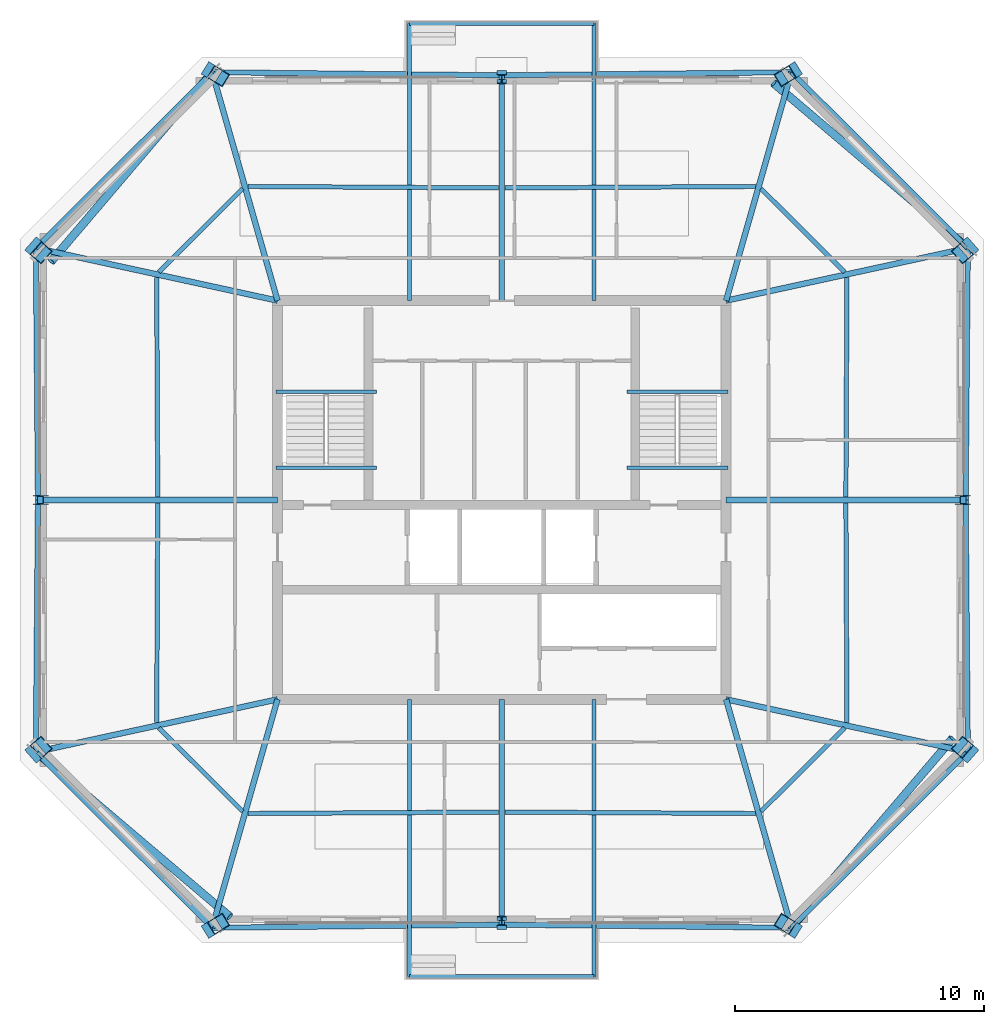
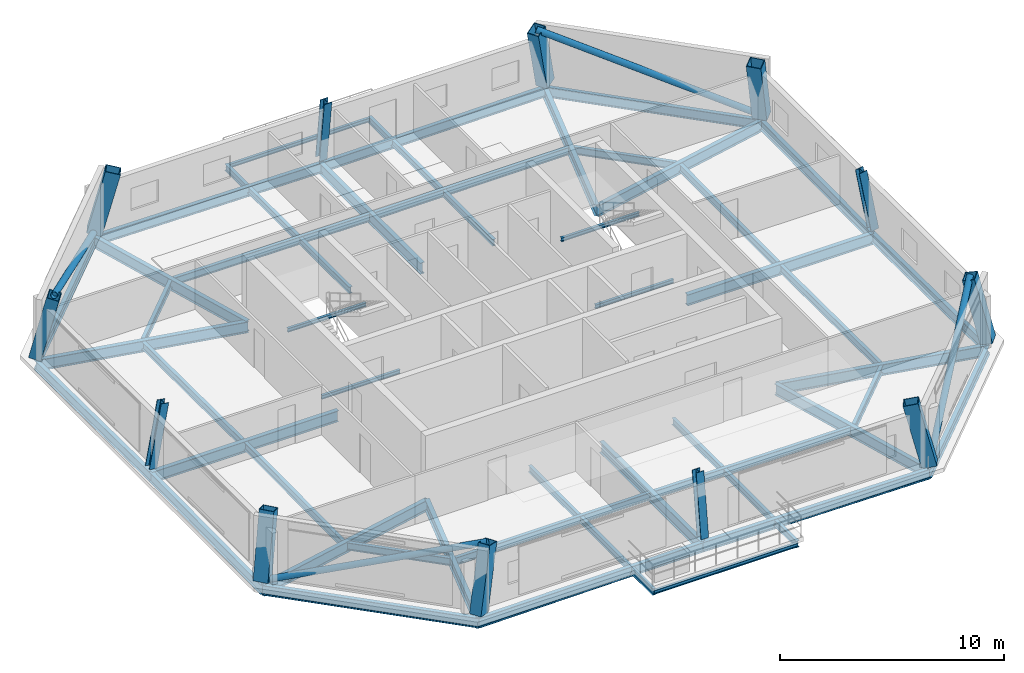
# One storey, part 1 of 7: 46 beams, 12 columns, 4 members.
"""IFC4 building model written with IfcOpenShell, lengths in metres."""

from ifc_helpers import new_model, si_unit, direction, frame, origin, origin_2d, place, context, subcontext, project, spatial, hollow_rectangle, hollow_circle, i_section, extrude, material, material_profile, profile_set, type_object, element, save


model = new_model("IFC4")

# Units and contexts
model_context = context("Model", 3, precision=1e-05, world=origin(), true_north=direction((0.0, 1.0)))
body_context = subcontext(model_context, "Body", "Model", "MODEL_VIEW")
ifc_project = project(units=[si_unit("LENGTHUNIT", "METRE"), si_unit("AREAUNIT", "SQUARE_METRE"), si_unit("VOLUMEUNIT", "CUBIC_METRE"), si_unit("PLANEANGLEUNIT", "RADIAN"), si_unit("MASSUNIT", "GRAM", prefix="KILO")], contexts=[model_context])

# Site, building, storey
site_placement = place(None, origin())
site = spatial("IfcSite", under=ifc_project, at=site_placement, CompositionType="ELEMENT")
building_placement = place(site_placement, origin())
building = spatial("IfcBuilding", under=site, at=building_placement, Name="Caelvoria Tower", CompositionType="ELEMENT")
storey_placement = place(building_placement, frame((0.0, 0.0, 257.39990234375)))
storey = spatial("IfcBuildingStorey", under=building, at=storey_placement, Name="L68", CompositionType="ELEMENT", Elevation=257.39990234375)

# Columns
ifc_material_1 = material(Name="Structural Steel ASTM A572 Gr.50", Category="steel")
ifc_material_profile_1 = material_profile(ifc_material_1, hollow_rectangle(XDim=0.580078125, YDim=0.699951171875, WallThickness=0.031982421875, at=origin_2d()), Name="Structural Steel ASTM A572 Gr.50")
ifc_profile_set_1 = profile_set([ifc_material_profile_1], Name="BOX700X580X32 - Structural Steel ASTM A572 Gr.50")
column_type_1 = type_object("IfcColumnType", Name="Mega Box Column 700x580x32", PredefinedType="COLUMN", material=ifc_profile_set_1)
for number, where, z_axis, x_axis, name in (
    (1, (34.37646484375, 14.83251953125, 0.0), (0.204959599513, 0.127485151856, 0.970432428675), (-0.528166687424, 0.849140712895, 0.0), "Perimeter Megaframe Column L68-P00"),
    (2, (57.62353515625, 14.83251953125, 0.0), (-0.204959599513, 0.127485151856, 0.970432428675), (-0.528166687424, -0.849140712895, 0.0), "Perimeter Megaframe Column L68-P02"),
):
    element("IfcColumn", number, at=place(storey_placement, frame(where, z_axis=z_axis, x_axis=x_axis)), inside=storey, type_object=column_type_1, Name=name, PredefinedType="COLUMN", context=body_context, shape_type="SweptSolid", body=[
        extrude(hollow_rectangle(XDim=0.580078125, YDim=0.699951171875, WallThickness=0.031982421875, at=origin_2d()), origin(), (0.0, 0.0, 1.0), 3.475830078125),
    ])
for number, where, z_axis, x_axis, name in (
    (3, (64.702880859375, 21.887939453125, 0.0), (-0.177662325412, 0.155507284832, 0.971727113182), (0.731191579458, -0.640009731663, 0.23610679259), "Perimeter Megaframe Column L68-P03"),
    (4, (64.702880859375, 42.112060546875, 0.0), (-0.177662325412, -0.155507284832, 0.971727113182), (0.731191579458, 0.640009731663, 0.23610679259), "Perimeter Megaframe Column L68-P05"),
):
    element("IfcColumn", number, at=place(storey_placement, frame(where, z_axis=z_axis, x_axis=x_axis)), inside=storey, type_object=column_type_1, Name=name, PredefinedType="COLUMN", context=body_context, shape_type="SweptSolid", body=[
        extrude(hollow_rectangle(XDim=0.580078125, YDim=0.699951171875, WallThickness=0.031982421875, at=origin_2d()), origin(), (0.0, 0.0, 1.0), 3.47119140625),
    ])
for number, where, z_axis, x_axis, name in (
    (5, (57.62353515625, 49.16748046875, 0.0), (-0.204959599513, -0.127485151856, 0.970432428675), (0.528166687424, -0.849140712895, 0.0), "Perimeter Megaframe Column L68-P06"),
    (6, (34.37646484375, 49.16748046875, 0.0), (0.204959599513, -0.127485151856, 0.970432428675), (0.528166687424, 0.849140712895, 0.0), "Perimeter Megaframe Column L68-P08"),
):
    element("IfcColumn", number, at=place(storey_placement, frame(where, z_axis=z_axis, x_axis=x_axis)), inside=storey, type_object=column_type_1, Name=name, PredefinedType="COLUMN", context=body_context, shape_type="SweptSolid", body=[
        extrude(hollow_rectangle(XDim=0.580078125, YDim=0.699951171875, WallThickness=0.031982421875, at=origin_2d()), origin(), (0.0, 0.0, 1.0), 3.475830078125),
    ])
for number, where, z_axis, x_axis, name in (
    (7, (27.297119140625, 42.112060546875, 0.0), (0.177662325412, -0.155507284832, 0.971727113182), (-0.731191579458, 0.640009731663, 0.23610679259), "Perimeter Megaframe Column L68-P09"),
    (8, (27.297119140625, 21.887939453125, 0.0), (0.177662325412, 0.155507284832, 0.971727113182), (-0.731191579458, -0.640009731663, 0.23610679259), "Perimeter Megaframe Column L68-P11"),
):
    element("IfcColumn", number, at=place(storey_placement, frame(where, z_axis=z_axis, x_axis=x_axis)), inside=storey, type_object=column_type_1, Name=name, PredefinedType="COLUMN", context=body_context, shape_type="SweptSolid", body=[
        extrude(hollow_rectangle(XDim=0.580078125, YDim=0.699951171875, WallThickness=0.031982421875, at=origin_2d()), origin(), (0.0, 0.0, 1.0), 3.47119140625),
    ])
ifc_material_2 = material(Name="Structural Steel ASTM A992 Gr.50", Category="steel")
ifc_material_profile_2 = material_profile(ifc_material_2, i_section(OverallWidth=0.39501953125, OverallDepth=0.3798828125, WebThickness=0.018798828125, FlangeThickness=0.0302734375, FilletRadius=0.02490234375, at=origin_2d()), Name="Structural Steel ASTM A992 Gr.50")
ifc_profile_set_2 = profile_set([ifc_material_profile_2], Name="W360X237 - Structural Steel ASTM A992 Gr.50")
column_type_2 = type_object("IfcColumnType", Name="Summit Frame Column W360X237", PredefinedType="COLUMN", material=ifc_profile_set_2)
column_1_placement = place(storey_placement, frame((46.0, 14.956298828125, 0.0), z_axis=(0.0, 0.128274255688, 0.991738733401), x_axis=(-1.0, 0.0, 0.0)))
element("IfcColumn", 9, at=column_1_placement, inside=storey, type_object=column_type_2, Name="Perimeter Megaframe Column L68-P01", PredefinedType="COLUMN", context=body_context, shape_type="SweptSolid", body=[
    extrude(i_section(OverallWidth=0.39501953125, OverallDepth=0.3798828125, WebThickness=0.018798828125, FlangeThickness=0.0302734375, FilletRadius=0.02490234375, at=origin_2d()), origin(), (0.0, 0.0, 1.0), 3.401123046875),
])
column_2_placement = place(storey_placement, frame((64.616455078125, 32.0, 0.0), z_axis=(-0.179023300051, 0.0, 0.98384483433), x_axis=(0.98384483433, 0.0, 0.179023300051)))
element("IfcColumn", 10, at=column_2_placement, inside=storey, type_object=column_type_2, Name="Perimeter Megaframe Column L68-P04", PredefinedType="COLUMN", context=body_context, shape_type="SweptSolid", body=[
    extrude(i_section(OverallWidth=0.39501953125, OverallDepth=0.3798828125, WebThickness=0.018798828125, FlangeThickness=0.0302734375, FilletRadius=0.02490234375, at=origin_2d()), origin(), (0.0, 0.0, 1.0), 3.428466796875),
])
column_3_placement = place(storey_placement, frame((46.0, 49.043701171875, 0.0), z_axis=(0.0, -0.128274255688, 0.991738733401), x_axis=(1.0, 0.0, 0.0)))
element("IfcColumn", 11, at=column_3_placement, inside=storey, type_object=column_type_2, Name="Perimeter Megaframe Column L68-P07", PredefinedType="COLUMN", context=body_context, shape_type="SweptSolid", body=[
    extrude(i_section(OverallWidth=0.39501953125, OverallDepth=0.3798828125, WebThickness=0.018798828125, FlangeThickness=0.0302734375, FilletRadius=0.02490234375, at=origin_2d()), origin(), (0.0, 0.0, 1.0), 3.401123046875),
])
column_4_placement = place(storey_placement, frame((27.383544921875, 32.0, 0.0), z_axis=(0.179023300051, 0.0, 0.98384483433), x_axis=(-0.98384483433, 0.0, 0.179023300051)))
element("IfcColumn", 12, at=column_4_placement, inside=storey, type_object=column_type_2, Name="Perimeter Megaframe Column L68-P10", PredefinedType="COLUMN", context=body_context, shape_type="SweptSolid", body=[
    extrude(i_section(OverallWidth=0.39501953125, OverallDepth=0.3798828125, WebThickness=0.018798828125, FlangeThickness=0.0302734375, FilletRadius=0.02490234375, at=origin_2d()), origin(), (0.0, 0.0, 1.0), 3.428466796875),
])

# Beams
ifc_material_profile_3 = material_profile(ifc_material_2, i_section(OverallWidth=0.134033203125, OverallDepth=0.2099609375, WebThickness=0.00634765625, FlangeThickness=0.01025390625, FilletRadius=0.010009765625, at=origin_2d()), Name="Structural Steel ASTM A992 Gr.50")
ifc_profile_set_3 = profile_set([ifc_material_profile_3], Name="W200X31.3 - Structural Steel ASTM A992 Gr.50")
beam_type_1 = type_object("IfcBeamType", Name="Canopy Edge Trim Beam W200X31.3", PredefinedType="BEAM", material=ifc_profile_set_3)
for number, where, z_axis, x_axis, name in (
    (13, (42.300048828125, 12.886474609375, -0.428955078125), (1.0, 0.0, 0.0), (0.0, 1.0, 0.0), "Tree Balcony Edge Beam TB-L68-S"),
    (14, (42.300048828125, 51.113525390625, -0.428955078125), (1.0, 0.0, 0.0), (0.0, 1.0, 0.0), "Tree Balcony Edge Beam TB-L68-N"),
):
    element("IfcBeam", number, at=place(storey_placement, frame(where, z_axis=z_axis, x_axis=x_axis)), inside=storey, type_object=beam_type_1, Name=name, PredefinedType="BEAM", context=body_context, shape_type="SweptSolid", body=[
        extrude(i_section(OverallWidth=0.134033203125, OverallDepth=0.2099609375, WebThickness=0.00634765625, FlangeThickness=0.01025390625, FilletRadius=0.010009765625, at=origin_2d()), origin(), (0.0, 0.0, 1.0), 7.39990234375),
    ])
for number, where, z_axis, x_axis, name in (
    (15, (36.929931640625, 36.35009765625, 1.4951171875), (1.0, 0.0, 0.0), (0.0, 1.0, 0.0), "ST-01 Half-Landing Support Beam L68"),
    (16, (36.929931640625, 33.300048828125, -0.304931640625), (1.0, 0.0, 0.0), (0.0, 1.0, 0.0), "ST-01 Floor-Landing Support Beam L68"),
    (17, (51.030029296875, 36.35009765625, 1.4951171875), (1.0, 0.0, 0.0), (0.0, 1.0, 0.0), "ST-02 Half-Landing Support Beam L68"),
    (18, (51.030029296875, 33.300048828125, -0.304931640625), (1.0, 0.0, 0.0), (0.0, 1.0, 0.0), "ST-02 Floor-Landing Support Beam L68"),
):
    element("IfcBeam", number, at=place(storey_placement, frame(where, z_axis=z_axis, x_axis=x_axis)), inside=storey, type_object=beam_type_1, Name=name, PredefinedType="BEAM", context=body_context, shape_type="SweptSolid", body=[
        extrude(i_section(OverallWidth=0.134033203125, OverallDepth=0.2099609375, WebThickness=0.00634765625, FlangeThickness=0.01025390625, FilletRadius=0.010009765625, at=origin_2d()), origin(), (0.0, 0.0, 1.0), 4.0400390625),
    ])
ifc_material_profile_4 = material_profile(ifc_material_2, i_section(OverallWidth=0.22802734375, OverallDepth=0.60302734375, WebThickness=0.010498046875, FlangeThickness=0.014892578125, FilletRadius=0.01806640625, at=origin_2d()), Name="Structural Steel ASTM A992 Gr.50")
ifc_profile_set_4 = profile_set([ifc_material_profile_4], Name="W610X101 - Structural Steel ASTM A992 Gr.50")
beam_type_2 = type_object("IfcBeamType", Name="Primary Floor Girder W610X101", PredefinedType="BEAM", material=ifc_profile_set_4)
beam_1_placement = place(storey_placement, frame((37.0, 24.0, -0.5263671875), z_axis=(-0.275133654786, -0.961405987086, 0.0), x_axis=(0.961405987086, -0.275133654786, 0.0)))
element("IfcBeam", 19, at=beam_1_placement, inside=storey, type_object=beam_type_2, Name="Primary Floor Girder L68-00", PredefinedType="BEAM", context=body_context, shape_type="SweptSolid", body=[
    extrude(i_section(OverallWidth=0.22802734375, OverallDepth=0.60302734375, WebThickness=0.010498046875, FlangeThickness=0.014892578125, FilletRadius=0.01806640625, at=origin_2d()), origin(), (0.0, 0.0, 1.0), 9.535400390625),
])
beam_2_placement = place(storey_placement, frame((46.0, 24.0, -0.5263671875), z_axis=(0.0, -1.0, 0.0), x_axis=(1.0, 0.0, 0.0)))
element("IfcBeam", 20, at=beam_2_placement, inside=storey, type_object=beam_type_2, Name="Primary Floor Girder L68-01", PredefinedType="BEAM", context=body_context, shape_type="SweptSolid", body=[
    extrude(i_section(OverallWidth=0.22802734375, OverallDepth=0.60302734375, WebThickness=0.010498046875, FlangeThickness=0.014892578125, FilletRadius=0.01806640625, at=origin_2d()), origin(), (0.0, 0.0, 1.0), 9.043701171875),
])
beam_3_placement = place(storey_placement, frame((55.0, 24.0, -0.5263671875), z_axis=(0.275133654786, -0.961405987086, 0.0), x_axis=(0.961405987086, 0.275133654786, 0.0)))
element("IfcBeam", 21, at=beam_3_placement, inside=storey, type_object=beam_type_2, Name="Primary Floor Girder L68-02", PredefinedType="BEAM", context=body_context, shape_type="SweptSolid", body=[
    extrude(i_section(OverallWidth=0.22802734375, OverallDepth=0.60302734375, WebThickness=0.010498046875, FlangeThickness=0.014892578125, FilletRadius=0.01806640625, at=origin_2d()), origin(), (0.0, 0.0, 1.0), 9.535400390625),
])
beam_4_placement = place(storey_placement, frame((55.0, 24.0, -0.5263671875), z_axis=(0.977119079584, -0.212692981342, 0.0), x_axis=(0.212692981342, 0.977119079584, 0.0)))
element("IfcBeam", 22, at=beam_4_placement, inside=storey, type_object=beam_type_2, Name="Primary Floor Girder L68-03", PredefinedType="BEAM", context=body_context, shape_type="SweptSolid", body=[
    extrude(i_section(OverallWidth=0.22802734375, OverallDepth=0.60302734375, WebThickness=0.010498046875, FlangeThickness=0.014892578125, FilletRadius=0.01806640625, at=origin_2d()), origin(), (0.0, 0.0, 1.0), 9.93017578125),
])
beam_5_placement = place(storey_placement, frame((55.0, 32.0, -0.5263671875), z_axis=(1.0, 0.0, 0.0), x_axis=(0.0, 1.0, 0.0)))
element("IfcBeam", 23, at=beam_5_placement, inside=storey, type_object=beam_type_2, Name="Primary Floor Girder L68-04", PredefinedType="BEAM", context=body_context, shape_type="SweptSolid", body=[
    extrude(i_section(OverallWidth=0.22802734375, OverallDepth=0.60302734375, WebThickness=0.010498046875, FlangeThickness=0.014892578125, FilletRadius=0.01806640625, at=origin_2d()), origin(), (0.0, 0.0, 1.0), 9.616455078125),
])
beam_6_placement = place(storey_placement, frame((55.0, 40.0, -0.5263671875), z_axis=(0.977119079584, 0.212692981342, 0.0), x_axis=(-0.212692981342, 0.977119079584, 0.0)))
element("IfcBeam", 24, at=beam_6_placement, inside=storey, type_object=beam_type_2, Name="Primary Floor Girder L68-05", PredefinedType="BEAM", context=body_context, shape_type="SweptSolid", body=[
    extrude(i_section(OverallWidth=0.22802734375, OverallDepth=0.60302734375, WebThickness=0.010498046875, FlangeThickness=0.014892578125, FilletRadius=0.01806640625, at=origin_2d()), origin(), (0.0, 0.0, 1.0), 9.93017578125),
])
beam_7_placement = place(storey_placement, frame((55.0, 40.0, -0.5263671875), z_axis=(0.275133654786, 0.961405987086, 0.0), x_axis=(-0.961405987086, 0.275133654786, 0.0)))
element("IfcBeam", 25, at=beam_7_placement, inside=storey, type_object=beam_type_2, Name="Primary Floor Girder L68-06", PredefinedType="BEAM", context=body_context, shape_type="SweptSolid", body=[
    extrude(i_section(OverallWidth=0.22802734375, OverallDepth=0.60302734375, WebThickness=0.010498046875, FlangeThickness=0.014892578125, FilletRadius=0.01806640625, at=origin_2d()), origin(), (0.0, 0.0, 1.0), 9.535400390625),
])
beam_8_placement = place(storey_placement, frame((46.0, 40.0, -0.5263671875), z_axis=(0.0, 1.0, 0.0), x_axis=(-1.0, 0.0, 0.0)))
element("IfcBeam", 26, at=beam_8_placement, inside=storey, type_object=beam_type_2, Name="Primary Floor Girder L68-07", PredefinedType="BEAM", context=body_context, shape_type="SweptSolid", body=[
    extrude(i_section(OverallWidth=0.22802734375, OverallDepth=0.60302734375, WebThickness=0.010498046875, FlangeThickness=0.014892578125, FilletRadius=0.01806640625, at=origin_2d()), origin(), (0.0, 0.0, 1.0), 9.043701171875),
])
beam_9_placement = place(storey_placement, frame((37.0, 40.0, -0.5263671875), z_axis=(-0.275133654786, 0.961405987086, 0.0), x_axis=(-0.961405987086, -0.275133654786, 0.0)))
element("IfcBeam", 27, at=beam_9_placement, inside=storey, type_object=beam_type_2, Name="Primary Floor Girder L68-08", PredefinedType="BEAM", context=body_context, shape_type="SweptSolid", body=[
    extrude(i_section(OverallWidth=0.22802734375, OverallDepth=0.60302734375, WebThickness=0.010498046875, FlangeThickness=0.014892578125, FilletRadius=0.01806640625, at=origin_2d()), origin(), (0.0, 0.0, 1.0), 9.535400390625),
])
beam_10_placement = place(storey_placement, frame((37.0, 40.0, -0.5263671875), z_axis=(-0.977119079584, 0.212692981342, 0.0), x_axis=(-0.212692981342, -0.977119079584, 0.0)))
element("IfcBeam", 28, at=beam_10_placement, inside=storey, type_object=beam_type_2, Name="Primary Floor Girder L68-09", PredefinedType="BEAM", context=body_context, shape_type="SweptSolid", body=[
    extrude(i_section(OverallWidth=0.22802734375, OverallDepth=0.60302734375, WebThickness=0.010498046875, FlangeThickness=0.014892578125, FilletRadius=0.01806640625, at=origin_2d()), origin(), (0.0, 0.0, 1.0), 9.93017578125),
])
beam_11_placement = place(storey_placement, frame((37.0, 32.0, -0.5263671875), z_axis=(-1.0, 0.0, 0.0), x_axis=(0.0, -1.0, 0.0)))
element("IfcBeam", 29, at=beam_11_placement, inside=storey, type_object=beam_type_2, Name="Primary Floor Girder L68-10", PredefinedType="BEAM", context=body_context, shape_type="SweptSolid", body=[
    extrude(i_section(OverallWidth=0.22802734375, OverallDepth=0.60302734375, WebThickness=0.010498046875, FlangeThickness=0.014892578125, FilletRadius=0.01806640625, at=origin_2d()), origin(), (0.0, 0.0, 1.0), 9.616455078125),
])
beam_12_placement = place(storey_placement, frame((37.0, 24.0, -0.5263671875), z_axis=(-0.977119079584, -0.212692981342, 0.0), x_axis=(0.212692981342, -0.977119079584, 0.0)))
element("IfcBeam", 30, at=beam_12_placement, inside=storey, type_object=beam_type_2, Name="Primary Floor Girder L68-11", PredefinedType="BEAM", context=body_context, shape_type="SweptSolid", body=[
    extrude(i_section(OverallWidth=0.22802734375, OverallDepth=0.60302734375, WebThickness=0.010498046875, FlangeThickness=0.014892578125, FilletRadius=0.01806640625, at=origin_2d()), origin(), (0.0, 0.0, 1.0), 9.93017578125),
])
ifc_material_profile_5 = material_profile(ifc_material_2, i_section(OverallWidth=0.177978515625, OverallDepth=0.406982421875, WebThickness=0.0078125, FlangeThickness=0.0126953125, FilletRadius=0.013916015625, at=origin_2d()), Name="Structural Steel ASTM A992 Gr.50")
ifc_profile_set_5 = profile_set([ifc_material_profile_5], Name="W410X60 - Structural Steel ASTM A992 Gr.50")
beam_type_3 = type_object("IfcBeamType", Name="Secondary Floor Beam W410X60", PredefinedType="BEAM", material=ifc_profile_set_5)
for number, where, z_axis, x_axis, name in (
    (31, (35.813232421875, 19.4169921875, -0.428466796875), (0.999982040934, 0.005993146922, 0.0), (-0.005993146922, 0.999982040934, 0.0), "Secondary Floor Beam L68-00"),
    (32, (46.125, 19.477294921875, -0.428466796875), (0.999982040934, -0.005993146922, 0.0), (0.005993146922, 0.999982040934, 0.0), "Secondary Floor Beam L68-01"),
):
    element("IfcBeam", number, at=place(storey_placement, frame(where, z_axis=z_axis, x_axis=x_axis)), inside=storey, type_object=beam_type_3, Name=name, PredefinedType="BEAM", context=body_context, shape_type="SweptSolid", body=[
        extrude(i_section(OverallWidth=0.177978515625, OverallDepth=0.406982421875, WebThickness=0.0078125, FlangeThickness=0.0126953125, FilletRadius=0.013916015625, at=origin_2d()), origin(), (0.0, 0.0, 1.0), 10.06201171875),
    ])
beam_13_placement = place(storey_placement, frame((56.400390625, 19.50439453125, -0.428466796875), z_axis=(0.708288587083, 0.705922996798, 0.0), x_axis=(-0.705922996798, 0.708288587083, 0.0)))
element("IfcBeam", 33, at=beam_13_placement, inside=storey, type_object=beam_type_3, Name="Secondary Floor Beam L68-02", PredefinedType="BEAM", context=body_context, shape_type="SweptSolid", body=[
    extrude(i_section(OverallWidth=0.177978515625, OverallDepth=0.406982421875, WebThickness=0.0078125, FlangeThickness=0.0126953125, FilletRadius=0.013916015625, at=origin_2d()), origin(), (0.0, 0.0, 1.0), 4.747314453125),
])
for number, where, z_axis, x_axis, name in (
    (34, (59.850830078125, 23.069091796875, -0.428466796875), (-0.00476858367, 0.99998863024, 0.0), (-0.99998863024, -0.00476858367, 0.0), "Secondary Floor Beam L68-03"),
    (35, (59.808837890625, 32.125, -0.428466796875), (0.00476858367, 0.99998863024, 0.0), (-0.99998863024, 0.00476858367, 0.0), "Secondary Floor Beam L68-04"),
):
    element("IfcBeam", number, at=place(storey_placement, frame(where, z_axis=z_axis, x_axis=x_axis)), inside=storey, type_object=beam_type_3, Name=name, PredefinedType="BEAM", context=body_context, shape_type="SweptSolid", body=[
        extrude(i_section(OverallWidth=0.177978515625, OverallDepth=0.406982421875, WebThickness=0.0078125, FlangeThickness=0.0126953125, FilletRadius=0.013916015625, at=origin_2d()), origin(), (0.0, 0.0, 1.0), 8.805908203125),
    ])
beam_14_placement = place(storey_placement, frame((59.762939453125, 41.144287109375, -0.428466796875), z_axis=(-0.708288587083, 0.705922996798, 0.0), x_axis=(-0.705922996798, -0.708288587083, 0.0)))
element("IfcBeam", 36, at=beam_14_placement, inside=storey, type_object=beam_type_3, Name="Secondary Floor Beam L68-05", PredefinedType="BEAM", context=body_context, shape_type="SweptSolid", body=[
    extrude(i_section(OverallWidth=0.177978515625, OverallDepth=0.406982421875, WebThickness=0.0078125, FlangeThickness=0.0126953125, FilletRadius=0.013916015625, at=origin_2d()), origin(), (0.0, 0.0, 1.0), 4.747314453125),
])
for number, where, z_axis, x_axis, name in (
    (37, (56.186767578125, 44.5830078125, -0.428466796875), (-0.999982040934, -0.005993146922, 0.0), (0.005993146922, -0.999982040934, 0.0), "Secondary Floor Beam L68-06"),
    (38, (45.875, 44.522705078125, -0.428466796875), (-0.999982040934, 0.005993146922, 0.0), (-0.005993146922, -0.999982040934, 0.0), "Secondary Floor Beam L68-07"),
):
    element("IfcBeam", number, at=place(storey_placement, frame(where, z_axis=z_axis, x_axis=x_axis)), inside=storey, type_object=beam_type_3, Name=name, PredefinedType="BEAM", context=body_context, shape_type="SweptSolid", body=[
        extrude(i_section(OverallWidth=0.177978515625, OverallDepth=0.406982421875, WebThickness=0.0078125, FlangeThickness=0.0126953125, FilletRadius=0.013916015625, at=origin_2d()), origin(), (0.0, 0.0, 1.0), 10.06201171875),
    ])
beam_15_placement = place(storey_placement, frame((35.599609375, 44.49560546875, -0.428466796875), z_axis=(-0.708288587083, -0.705922996798, 0.0), x_axis=(0.705922996798, -0.708288587083, 0.0)))
element("IfcBeam", 39, at=beam_15_placement, inside=storey, type_object=beam_type_3, Name="Secondary Floor Beam L68-08", PredefinedType="BEAM", context=body_context, shape_type="SweptSolid", body=[
    extrude(i_section(OverallWidth=0.177978515625, OverallDepth=0.406982421875, WebThickness=0.0078125, FlangeThickness=0.0126953125, FilletRadius=0.013916015625, at=origin_2d()), origin(), (0.0, 0.0, 1.0), 4.747314453125),
])
for number, where, z_axis, x_axis, name in (
    (40, (32.149169921875, 40.930908203125, -0.428466796875), (0.00476858367, -0.99998863024, 0.0), (0.99998863024, 0.00476858367, 0.0), "Secondary Floor Beam L68-09"),
    (41, (32.191162109375, 31.875, -0.428466796875), (-0.00476858367, -0.99998863024, 0.0), (0.99998863024, -0.00476858367, 0.0), "Secondary Floor Beam L68-10"),
):
    element("IfcBeam", number, at=place(storey_placement, frame(where, z_axis=z_axis, x_axis=x_axis)), inside=storey, type_object=beam_type_3, Name=name, PredefinedType="BEAM", context=body_context, shape_type="SweptSolid", body=[
        extrude(i_section(OverallWidth=0.177978515625, OverallDepth=0.406982421875, WebThickness=0.0078125, FlangeThickness=0.0126953125, FilletRadius=0.013916015625, at=origin_2d()), origin(), (0.0, 0.0, 1.0), 8.805908203125),
    ])
beam_16_placement = place(storey_placement, frame((32.237060546875, 22.855712890625, -0.428466796875), z_axis=(0.708288587083, -0.705922996798, 0.0), x_axis=(0.705922996798, 0.708288587083, 0.0)))
element("IfcBeam", 42, at=beam_16_placement, inside=storey, type_object=beam_type_3, Name="Secondary Floor Beam L68-11", PredefinedType="BEAM", context=body_context, shape_type="SweptSolid", body=[
    extrude(i_section(OverallWidth=0.177978515625, OverallDepth=0.406982421875, WebThickness=0.0078125, FlangeThickness=0.0126953125, FilletRadius=0.013916015625, at=origin_2d()), origin(), (0.0, 0.0, 1.0), 4.747314453125),
])

# Members
ifc_material_profile_6 = material_profile(ifc_material_1, hollow_circle(Radius=0.162109375, WallThickness=0.0126953125, at=origin_2d()), Name="Structural Steel ASTM A572 Gr.50")
ifc_profile_set_6 = profile_set([ifc_material_profile_6], Name="CHS324X12.7 - Structural Steel ASTM A572 Gr.50")
member_type = type_object("IfcMemberType", Name="Summit Perimeter Mega Brace CHS324X12.7", PredefinedType="BRACE", material=ifc_profile_set_6)
member_1_placement = place(storey_placement, frame((57.62353515625, 14.83251953125, 0.0), z_axis=(0.613839550645, 0.72141394056, 0.320566580338), x_axis=(-0.761606999404, 0.648039179725, 0.0)))
element("IfcMember", 43, at=member_1_placement, inside=storey, type_object=member_type, Name="Perimeter Chamfer Mega Brace L68 SE", PredefinedType="BRACE", context=body_context, shape_type="SweptSolid", body=[
    extrude(hollow_circle(Radius=0.162109375, WallThickness=0.0126953125, at=origin_2d()), origin(), (0.0, 0.0, 1.0), 10.5283203125),
])
member_2_placement = place(storey_placement, frame((64.702880859375, 42.112060546875, 0.0), z_axis=(-0.723993415501, 0.614401932177, 0.313598150584), x_axis=(-0.647041425151, -0.762454847279, 0.0)))
element("IfcMember", 44, at=member_2_placement, inside=storey, type_object=member_type, Name="Perimeter Chamfer Mega Brace L68 NE", PredefinedType="BRACE", context=body_context, shape_type="SweptSolid", body=[
    extrude(hollow_circle(Radius=0.162109375, WallThickness=0.0126953125, at=origin_2d()), origin(), (0.0, 0.0, 1.0), 10.76220703125),
])
member_3_placement = place(storey_placement, frame((34.37646484375, 49.16748046875, 0.0), z_axis=(-0.613839550645, -0.72141394056, 0.320566580338), x_axis=(0.761606999404, -0.648039179725, 0.0)))
element("IfcMember", 45, at=member_3_placement, inside=storey, type_object=member_type, Name="Perimeter Chamfer Mega Brace L68 NW", PredefinedType="BRACE", context=body_context, shape_type="SweptSolid", body=[
    extrude(hollow_circle(Radius=0.162109375, WallThickness=0.0126953125, at=origin_2d()), origin(), (0.0, 0.0, 1.0), 10.5283203125),
])
member_4_placement = place(storey_placement, frame((27.297119140625, 21.887939453125, 0.0), z_axis=(0.723993415501, -0.614401932177, 0.313598150584), x_axis=(0.647041425151, 0.762454847279, 0.0)))
element("IfcMember", 46, at=member_4_placement, inside=storey, type_object=member_type, Name="Perimeter Chamfer Mega Brace L68 SW", PredefinedType="BRACE", context=body_context, shape_type="SweptSolid", body=[
    extrude(hollow_circle(Radius=0.162109375, WallThickness=0.0126953125, at=origin_2d()), origin(), (0.0, 0.0, 1.0), 10.76220703125),
])

# Beams
ifc_material_profile_7 = material_profile(ifc_material_2, i_section(OverallWidth=0.1708984375, OverallDepth=0.35498046875, WebThickness=0.007080078125, FlangeThickness=0.01171875, FilletRadius=0.012939453125, at=origin_2d()), Name="Structural Steel ASTM A992 Gr.50")
ifc_profile_set_7 = profile_set([ifc_material_profile_7], Name="W360X51 - Structural Steel ASTM A992 Gr.50")
beam_type_4 = type_object("IfcBeamType", Name="Tree Balcony Cantilever Beam W360X51", PredefinedType="BEAM", material=ifc_profile_set_7)
for number, where, z_axis, x_axis, name in (
    (47, (42.300048828125, 24.0, -0.428955078125), (0.0, -1.0, 0.0), (1.0, 0.0, 0.0), "Tree Balcony Cantilever Beam TB-L68-S L"),
    (48, (49.699951171875, 24.0, -0.428955078125), (0.0, -1.0, 0.0), (1.0, 0.0, 0.0), "Tree Balcony Cantilever Beam TB-L68-S R"),
    (49, (42.300048828125, 40.0, -0.428955078125), (0.0, 1.0, 0.0), (-1.0, 0.0, 0.0), "Tree Balcony Cantilever Beam TB-L68-N L"),
    (50, (49.699951171875, 40.0, -0.428955078125), (0.0, 1.0, 0.0), (-1.0, 0.0, 0.0), "Tree Balcony Cantilever Beam TB-L68-N R"),
):
    element("IfcBeam", number, at=place(storey_placement, frame(where, z_axis=z_axis, x_axis=x_axis)), inside=storey, type_object=beam_type_4, Name=name, PredefinedType="BEAM", context=body_context, shape_type="SweptSolid", body=[
        extrude(i_section(OverallWidth=0.1708984375, OverallDepth=0.35498046875, WebThickness=0.007080078125, FlangeThickness=0.01171875, FilletRadius=0.012939453125, at=origin_2d()), origin(), (0.0, 0.0, 1.0), 11.113525390625),
    ])
ifc_material_profile_8 = material_profile(ifc_material_2, i_section(OverallWidth=0.208984375, OverallDepth=0.532958984375, WebThickness=0.01025390625, FlangeThickness=0.015625, FilletRadius=0.01611328125, at=origin_2d()), Name="Structural Steel ASTM A992 Gr.50")
ifc_profile_set_8 = profile_set([ifc_material_profile_8], Name="W530X92 - Structural Steel ASTM A992 Gr.50")
beam_type_5 = type_object("IfcBeamType", Name="Upper Zone Spandrel W530X92", PredefinedType="BEAM", material=ifc_profile_set_8)
for number, where, z_axis, x_axis, name in (
    (51, (34.37646484375, 14.83251953125, -0.491455078125), (0.999943303973, 0.010648419557, 0.0), (-0.010648419557, 0.999943303973, 0.0), "Perimeter Spandrel Girder L68-00"),
    (52, (46.0, 14.956298828125, -0.491455078125), (0.999943303973, -0.010648419557, 0.0), (0.010648419557, 0.999943303973, 0.0), "Perimeter Spandrel Girder L68-01"),
):
    element("IfcBeam", number, at=place(storey_placement, frame(where, z_axis=z_axis, x_axis=x_axis)), inside=storey, type_object=beam_type_5, Name=name, PredefinedType="BEAM", context=body_context, shape_type="SweptSolid", body=[
        extrude(i_section(OverallWidth=0.208984375, OverallDepth=0.532958984375, WebThickness=0.01025390625, FlangeThickness=0.015625, FilletRadius=0.01611328125, at=origin_2d()), origin(), (0.0, 0.0, 1.0), 11.624267578125),
    ])
beam_17_placement = place(storey_placement, frame((57.62353515625, 14.83251953125, -0.491455078125), z_axis=(0.708302679291, 0.705908857083, 0.0), x_axis=(-0.705908857083, 0.708302679291, 0.0)))
element("IfcBeam", 53, at=beam_17_placement, inside=storey, type_object=beam_type_5, Name="Perimeter Spandrel Girder L68-02", PredefinedType="BEAM", context=body_context, shape_type="SweptSolid", body=[
    extrude(i_section(OverallWidth=0.208984375, OverallDepth=0.532958984375, WebThickness=0.01025390625, FlangeThickness=0.015625, FilletRadius=0.01611328125, at=origin_2d()), origin(), (0.0, 0.0, 1.0), 9.994873046875),
])
for number, where, z_axis, x_axis, name in (
    (54, (64.702880859375, 21.887939453125, -0.491455078125), (-0.008546490047, 0.999963478087, 0.0), (-0.999963478087, -0.008546490047, 0.0), "Perimeter Spandrel Girder L68-03"),
    (55, (64.616455078125, 32.0, -0.491455078125), (0.008546490047, 0.999963478087, 0.0), (-0.999963478087, 0.008546490047, 0.0), "Perimeter Spandrel Girder L68-04"),
):
    element("IfcBeam", number, at=place(storey_placement, frame(where, z_axis=z_axis, x_axis=x_axis)), inside=storey, type_object=beam_type_5, Name=name, PredefinedType="BEAM", context=body_context, shape_type="SweptSolid", body=[
        extrude(i_section(OverallWidth=0.208984375, OverallDepth=0.532958984375, WebThickness=0.01025390625, FlangeThickness=0.015625, FilletRadius=0.01611328125, at=origin_2d()), origin(), (0.0, 0.0, 1.0), 10.112548828125),
    ])
beam_18_placement = place(storey_placement, frame((64.702880859375, 42.112060546875, -0.491455078125), z_axis=(-0.708302679291, 0.705908857083, 0.0), x_axis=(-0.705908857083, -0.708302679291, 0.0)))
element("IfcBeam", 56, at=beam_18_placement, inside=storey, type_object=beam_type_5, Name="Perimeter Spandrel Girder L68-05", PredefinedType="BEAM", context=body_context, shape_type="SweptSolid", body=[
    extrude(i_section(OverallWidth=0.208984375, OverallDepth=0.532958984375, WebThickness=0.01025390625, FlangeThickness=0.015625, FilletRadius=0.01611328125, at=origin_2d()), origin(), (0.0, 0.0, 1.0), 9.994873046875),
])
for number, where, z_axis, x_axis, name in (
    (57, (57.62353515625, 49.16748046875, -0.491455078125), (-0.999943303973, -0.010648419557, 0.0), (0.010648419557, -0.999943303973, 0.0), "Perimeter Spandrel Girder L68-06"),
    (58, (46.0, 49.043701171875, -0.491455078125), (-0.999943303973, 0.010648419557, 0.0), (-0.010648419557, -0.999943303973, 0.0), "Perimeter Spandrel Girder L68-07"),
):
    element("IfcBeam", number, at=place(storey_placement, frame(where, z_axis=z_axis, x_axis=x_axis)), inside=storey, type_object=beam_type_5, Name=name, PredefinedType="BEAM", context=body_context, shape_type="SweptSolid", body=[
        extrude(i_section(OverallWidth=0.208984375, OverallDepth=0.532958984375, WebThickness=0.01025390625, FlangeThickness=0.015625, FilletRadius=0.01611328125, at=origin_2d()), origin(), (0.0, 0.0, 1.0), 11.624267578125),
    ])
beam_19_placement = place(storey_placement, frame((34.37646484375, 49.16748046875, -0.491455078125), z_axis=(-0.708302679291, -0.705908857083, 0.0), x_axis=(0.705908857083, -0.708302679291, 0.0)))
element("IfcBeam", 59, at=beam_19_placement, inside=storey, type_object=beam_type_5, Name="Perimeter Spandrel Girder L68-08", PredefinedType="BEAM", context=body_context, shape_type="SweptSolid", body=[
    extrude(i_section(OverallWidth=0.208984375, OverallDepth=0.532958984375, WebThickness=0.01025390625, FlangeThickness=0.015625, FilletRadius=0.01611328125, at=origin_2d()), origin(), (0.0, 0.0, 1.0), 9.994873046875),
])
for number, where, z_axis, x_axis, name in (
    (60, (27.297119140625, 42.112060546875, -0.491455078125), (0.008546490047, -0.999963478087, 0.0), (0.999963478087, 0.008546490047, 0.0), "Perimeter Spandrel Girder L68-09"),
    (61, (27.383544921875, 32.0, -0.491455078125), (-0.008546490047, -0.999963478087, 0.0), (0.999963478087, -0.008546490047, 0.0), "Perimeter Spandrel Girder L68-10"),
):
    element("IfcBeam", number, at=place(storey_placement, frame(where, z_axis=z_axis, x_axis=x_axis)), inside=storey, type_object=beam_type_5, Name=name, PredefinedType="BEAM", context=body_context, shape_type="SweptSolid", body=[
        extrude(i_section(OverallWidth=0.208984375, OverallDepth=0.532958984375, WebThickness=0.01025390625, FlangeThickness=0.015625, FilletRadius=0.01611328125, at=origin_2d()), origin(), (0.0, 0.0, 1.0), 10.112548828125),
    ])
beam_20_placement = place(storey_placement, frame((27.297119140625, 21.887939453125, -0.491455078125), z_axis=(0.708302679291, -0.705908857083, 0.0), x_axis=(0.705908857083, 0.708302679291, 0.0)))
element("IfcBeam", 62, at=beam_20_placement, inside=storey, type_object=beam_type_5, Name="Perimeter Spandrel Girder L68-11", PredefinedType="BEAM", context=body_context, shape_type="SweptSolid", body=[
    extrude(i_section(OverallWidth=0.208984375, OverallDepth=0.532958984375, WebThickness=0.01025390625, FlangeThickness=0.015625, FilletRadius=0.01611328125, at=origin_2d()), origin(), (0.0, 0.0, 1.0), 9.994873046875),
])

save(model, "model.ifc")
